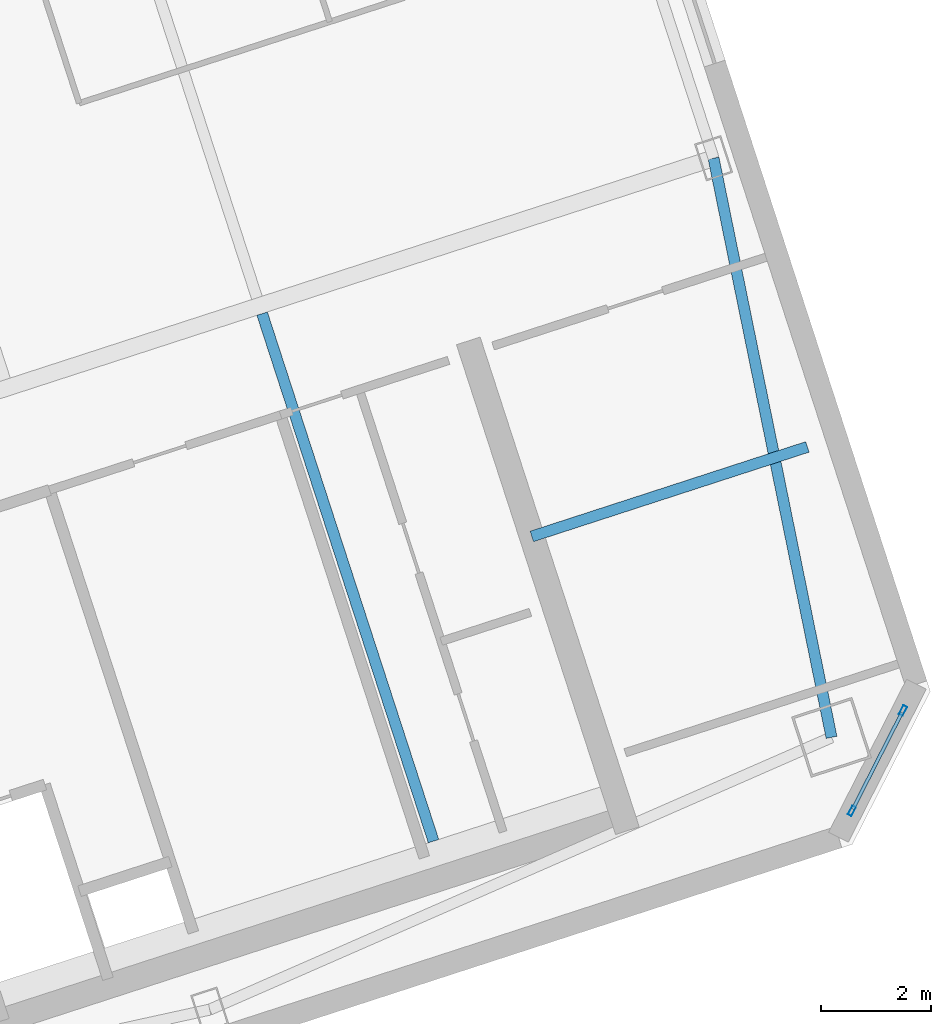
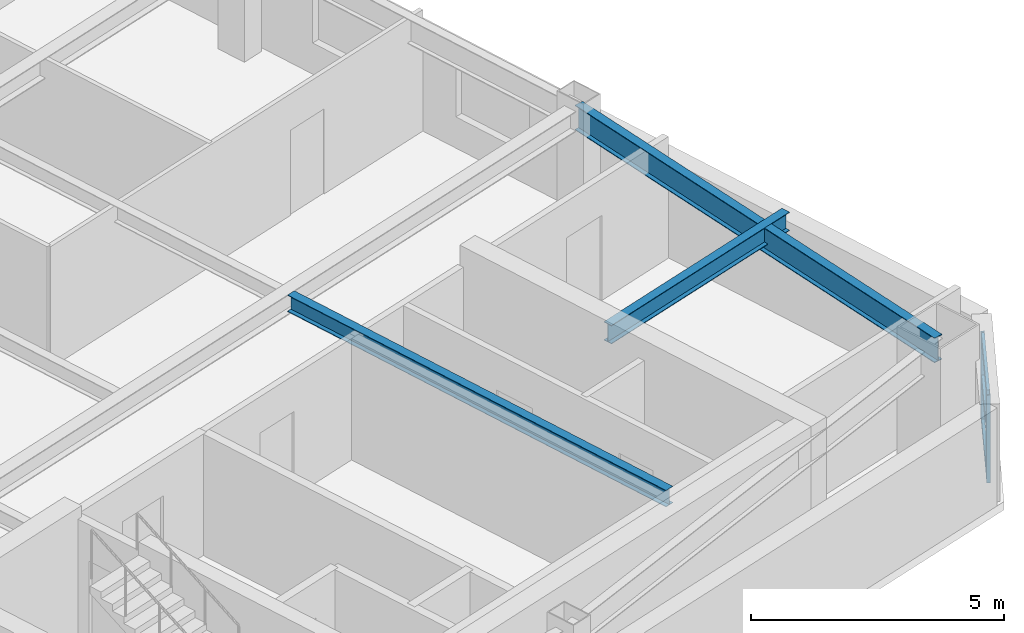
# One storey, part 10 of 20: 5 members, 3 beams, 1 element without a shape of its own.
"""IFC4 building model written with IfcOpenShell, lengths in metres."""

from ifc_helpers import new_model, si_unit, direction, frame, origin, origin_2d, place, context, subcontext, project, spatial, hollow_rectangle, i_section, extrude, material, layer, layer_set, material_profile, profile_set, type_object, element, aggregate, save


model = new_model("IFC4")

# Units and contexts
model_context = context("Model", 3, precision=1e-05, world=origin(), true_north=direction((0.0, 1.0)))
body_context = subcontext(model_context, "Body", "Model", "MODEL_VIEW")
ifc_project = project(units=[si_unit("LENGTHUNIT", "METRE"), si_unit("AREAUNIT", "SQUARE_METRE"), si_unit("VOLUMEUNIT", "CUBIC_METRE"), si_unit("PLANEANGLEUNIT", "RADIAN"), si_unit("MASSUNIT", "GRAM", prefix="KILO")], contexts=[model_context])

# Site, building, storey
site_placement = place(None, origin())
site = spatial("IfcSite", under=ifc_project, at=site_placement, CompositionType="ELEMENT")
building_placement = place(site_placement, origin())
building = spatial("IfcBuilding", under=site, at=building_placement, Name="Qiaolan Cultural Towers", CompositionType="ELEMENT")
storey_placement = place(building_placement, frame((0.0, 0.0, 244.0)))
storey = spatial("IfcBuildingStorey", under=building, at=storey_placement, Name="L66", CompositionType="ELEMENT", Elevation=244.0)

# Beams
ifc_material_1 = material(Name="Steel Q355B", Category="steel")
ifc_material_profile_1 = material_profile(ifc_material_1, i_section(OverallWidth=0.199951171875, OverallDepth=0.39990234375, WebThickness=0.008056640625, FlangeThickness=0.012939453125, at=origin_2d()), Name="HN400x200x8x13")
ifc_profile_set_1 = profile_set([ifc_material_profile_1], Name="Steel Q355B")
beam_type_1 = type_object("IfcBeamType", Name="BM-JST-HN400x200x8x13", PredefinedType="JOIST", material=ifc_profile_set_1)
beam_1_placement = place(storey_placement, frame((100.498291015625, 17.222900390625, 2.739990234375), z_axis=(-0.309025649293, 0.951053704098, 0.0), x_axis=(-0.951053704098, -0.309025649293, 0.0)))
element("IfcBeam", 1, at=beam_1_placement, inside=storey, type_object=beam_type_1, Name="L66 T2 Secondary Floor Joist U3-1", PredefinedType="JOIST", context=body_context, shape_type="SweptSolid", body=[
    extrude(i_section(OverallWidth=0.199951171875, OverallDepth=0.39990234375, WebThickness=0.008056640625, FlangeThickness=0.012939453125, at=origin_2d()), origin(), (0.0, 0.0, 1.0), 10.050048828125),
])
ifc_material_2 = material(Name="Steel Q355B", Category="steel")
ifc_material_profile_2 = material_profile(ifc_material_2, i_section(OverallWidth=0.199951171875, OverallDepth=0.449951171875, WebThickness=0.009033203125, FlangeThickness=0.013916015625, at=origin_2d()), Name="HN450x200x9x14")
ifc_profile_set_2 = profile_set([ifc_material_profile_2], Name="Steel Q355B")
beam_type_2 = type_object("IfcBeamType", Name="BM-LNT-HN450x200x9x14", PredefinedType="LINTEL", material=ifc_profile_set_2)
beam_2_placement = place(storey_placement, frame((102.279296875, 22.74365234375, 2.715087890625), z_axis=(0.951060037126, 0.309006158161, 0.0), x_axis=(-0.309006158161, 0.951060037126, 0.0)))
element("IfcBeam", 2, at=beam_2_placement, inside=storey, type_object=beam_type_2, Name="L66 T2 Core Flank Tie Lintel ES", PredefinedType="LINTEL", context=body_context, shape_type="SweptSolid", body=[
    extrude(i_section(OverallWidth=0.199951171875, OverallDepth=0.449951171875, WebThickness=0.009033203125, FlangeThickness=0.013916015625, at=origin_2d()), origin(), (0.0, 0.0, 1.0), 5.25),
])
ifc_material_3 = material(Name="Steel Q355B", Category="steel")
ifc_material_profile_3 = material_profile(ifc_material_3, i_section(OverallWidth=0.199951171875, OverallDepth=0.60009765625, WebThickness=0.010986328125, FlangeThickness=0.01708984375, at=origin_2d()), Name="HN600x200x11x17")
ifc_profile_set_3 = profile_set([ifc_material_profile_3], Name="Steel Q355B")
beam_type_3 = type_object("IfcBeamType", Name="BM-SPD-HN600x200x11x17", PredefinedType="SPANDREL", material=ifc_profile_set_3)
beam_3_placement = place(storey_placement, frame((107.7099609375, 19.103515625, 2.639892578125), z_axis=(-0.199578538116, 0.979881833245, 0.0), x_axis=(-0.979881833245, -0.199578538116, 0.0)))
element("IfcBeam", 3, at=beam_3_placement, inside=storey, type_object=beam_type_3, Name="L66 T2 Perimeter Spandrel Beam 3", PredefinedType="SPANDREL", context=body_context, shape_type="SweptSolid", body=[
    extrude(i_section(OverallWidth=0.199951171875, OverallDepth=0.60009765625, WebThickness=0.010986328125, FlangeThickness=0.01708984375, at=origin_2d()), origin(), (0.0, 0.0, 1.0), 10.70849609375),
])

# Curtain wall, members
ifc_material_4 = material(Name="Unitized Anodized Aluminium Curtain Wall System", Category="aluminium")
ifc_layer = layer(ifc_material_4, 0.199951171875)
ifc_layer_set = layer_set([ifc_layer], Name="Unitized Anodized Aluminium Curtain Wall System")
curtain_wall_type = type_object("IfcCurtainWallType", Name="CWS-05", PredefinedType="NOTDEFINED", material=ifc_layer_set)
curtain_wall_placement = place(storey_placement, origin())
curtain_wall = element("IfcCurtainWall", 4, at=curtain_wall_placement, inside=storey, type_object=curtain_wall_type, Name="L66 T2 Chamfer Wind-Corner Feature Curtain Wall 2", PredefinedType="NOTDEFINED")
ifc_material_5 = material(Name="Extruded Aluminium 6063-T6", Category="aluminium")
ifc_material_profile_4 = material_profile(ifc_material_5, hollow_rectangle(XDim=0.074951171875, YDim=0.179931640625, WallThickness=0.00390625, at=origin_2d()), Name="CWM-180x75x4")
ifc_profile_set_4 = profile_set([ifc_material_profile_4], Name="Extruded Aluminium 6063-T6")
member_type_1 = type_object("IfcMemberType", Name="CWS-05-MUL", PredefinedType="MULLION", material=ifc_profile_set_4)
member_1_placement = place(storey_placement, frame((109.0048828125, 19.589111328125, 0.14990234375), z_axis=(0.0, 0.0, 1.0), x_axis=(0.89100655078, -0.45399044755, 0.0)))
member_1 = element("IfcMember", 5, at=member_1_placement, type_object=member_type_1, Name="CW-5 mullion 1", PredefinedType="MULLION", context=body_context, shape_type="SweptSolid", body=[
    extrude(hollow_rectangle(XDim=0.074951171875, YDim=0.179931640625, WallThickness=0.00390625, at=origin_2d()), origin(), (0.0, 0.0, 1.0), 2.110107421875),
])
member_2_placement = place(storey_placement, frame((108.078369140625, 17.770751953125, 0.14990234375), z_axis=(0.0, 0.0, 1.0), x_axis=(0.89100655078, -0.45399044755, 0.0)))
member_2 = element("IfcMember", 6, at=member_2_placement, type_object=member_type_1, Name="CW-5 mullion 2", PredefinedType="MULLION", context=body_context, shape_type="SweptSolid", body=[
    extrude(hollow_rectangle(XDim=0.074951171875, YDim=0.179931640625, WallThickness=0.00390625, at=origin_2d()), origin(), (0.0, 0.0, 1.0), 2.110107421875),
])
ifc_material_6 = material(Name="Extruded Aluminium 6063-T6", Category="aluminium")
ifc_material_profile_5 = material_profile(ifc_material_6, hollow_rectangle(XDim=0.06494140625, YDim=0.14990234375, WallThickness=0.00390625, at=origin_2d()), Name="CWT-150x65x4")
ifc_profile_set_5 = profile_set([ifc_material_profile_5], Name="Extruded Aluminium 6063-T6")
member_type_2 = type_object("IfcMemberType", Name="CWS-05-TRN", PredefinedType="USERDEFINED", material=ifc_profile_set_5)
member_3_placement = place(storey_placement, frame((108.98779296875, 19.5556640625, 0.1826171875), z_axis=(-0.453957410805, -0.891023383069, 0.0), x_axis=(0.891023383069, -0.453957410805, 0.0)))
member_3 = element("IfcMember", 7, at=member_3_placement, type_object=member_type_2, Name="CW-5 transom 1.1", ObjectType="TRANSOM", PredefinedType="USERDEFINED", context=body_context, shape_type="SweptSolid", body=[
    extrude(hollow_rectangle(XDim=0.06494140625, YDim=0.14990234375, WallThickness=0.00390625, at=origin_2d()), origin(), (0.0, 0.0, 1.0), 1.965576171875),
])
member_4_placement = place(storey_placement, frame((108.98779296875, 19.5556640625, 1.25), z_axis=(-0.453957410805, -0.891023383069, 0.0), x_axis=(0.891023383069, -0.453957410805, 0.0)))
member_4 = element("IfcMember", 8, at=member_4_placement, type_object=member_type_2, Name="CW-5 transom 1.2", ObjectType="TRANSOM", PredefinedType="USERDEFINED", context=body_context, shape_type="SweptSolid", body=[
    extrude(hollow_rectangle(XDim=0.06494140625, YDim=0.14990234375, WallThickness=0.00390625, at=origin_2d()), origin(), (0.0, 0.0, 1.0), 1.965576171875),
])
member_5_placement = place(storey_placement, frame((108.98779296875, 19.5556640625, 2.2275390625), z_axis=(-0.453957410805, -0.891023383069, 0.0), x_axis=(0.891023383069, -0.453957410805, 0.0)))
member_5 = element("IfcMember", 9, at=member_5_placement, type_object=member_type_2, Name="CW-5 transom 1.3", ObjectType="TRANSOM", PredefinedType="USERDEFINED", context=body_context, shape_type="SweptSolid", body=[
    extrude(hollow_rectangle(XDim=0.06494140625, YDim=0.14990234375, WallThickness=0.00390625, at=origin_2d()), origin(), (0.0, 0.0, 1.0), 1.965576171875),
])
aggregate(curtain_wall, [member_1, member_2, member_3, member_4, member_5])

save(model, "model.ifc")
